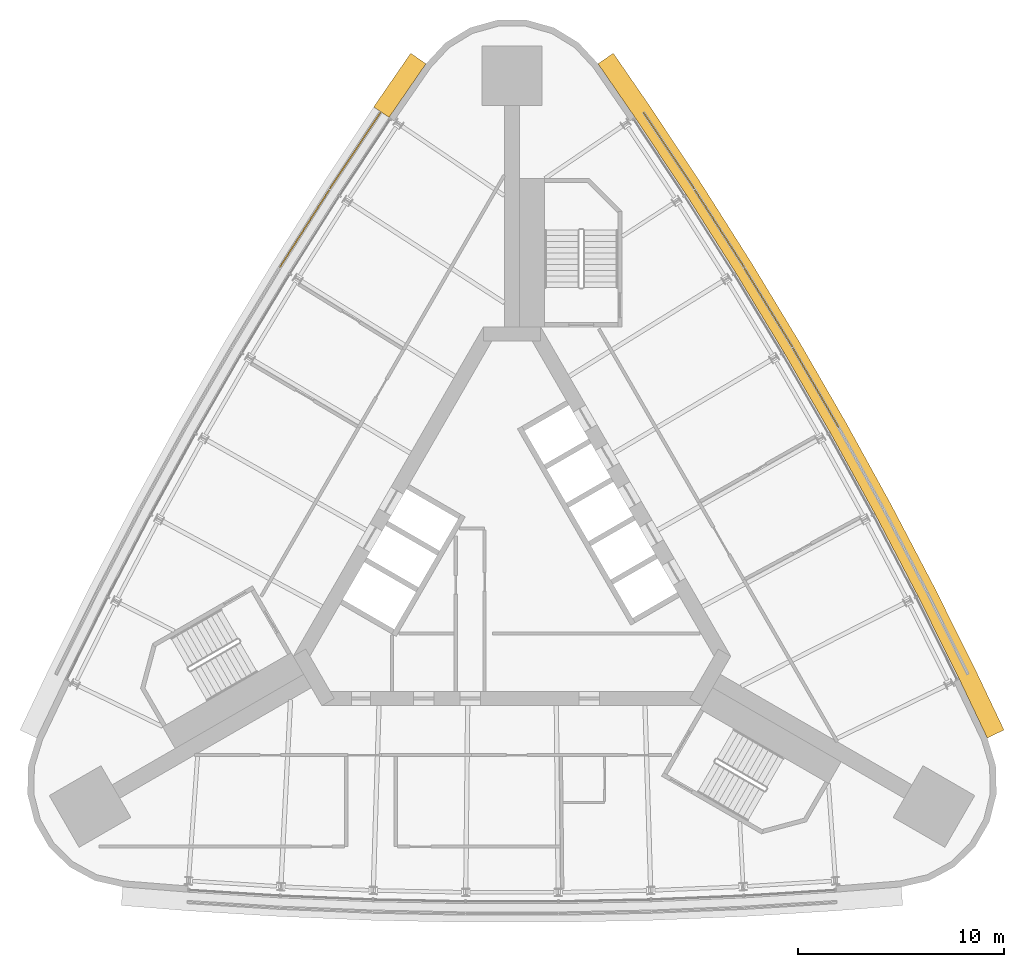
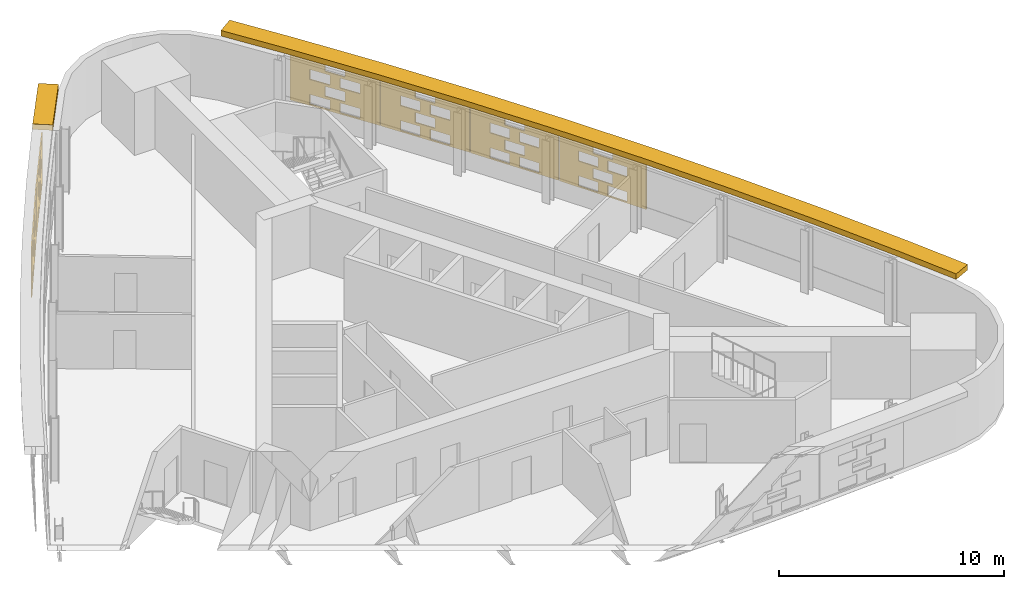
# One storey, part 12 of 12: 8 shading devices.
"""IFC4 building model written with IfcOpenShell, lengths in metres."""

from ifc_helpers import new_model, si_unit, direction, frame, origin, place, context, subcontext, project, spatial, polyline, outline, extrude, material, material_profile, profile_set, type_object, element, save


model = new_model("IFC4")

# Units and contexts
model_context = context("Model", 3, precision=1e-05, world=origin(), true_north=direction((0.0, 1.0)))
body_context = subcontext(model_context, "Body", "Model", "MODEL_VIEW")
ifc_project = project(units=[si_unit("LENGTHUNIT", "METRE"), si_unit("AREAUNIT", "SQUARE_METRE"), si_unit("VOLUMEUNIT", "CUBIC_METRE"), si_unit("PLANEANGLEUNIT", "RADIAN"), si_unit("MASSUNIT", "GRAM", prefix="KILO")], contexts=[model_context])

# Site, building, storey
site_placement = place(None, origin())
site = spatial("IfcSite", under=ifc_project, at=site_placement, CompositionType="ELEMENT")
building_placement = place(site_placement, origin())
building = spatial("IfcBuilding", under=site, at=building_placement, Name="Noor Cloister Tower", CompositionType="ELEMENT")
storey_placement = place(building_placement, frame((0.0, 0.0, 154.5)))
storey = spatial("IfcBuildingStorey", under=building, at=storey_placement, Name="L39", CompositionType="ELEMENT", Elevation=154.5)

# Shading devices
ifc_material_1 = material(Name="Limestone", Category="masonry")
ifc_material_profile = material_profile(ifc_material_1, outline(polyline([(-2.22998046875, -1.35009765625), (2.22998046875, -1.35009765625), (2.22998046875, 1.35009765625), (-2.22998046875, 1.35009765625), (-2.22998046875, -1.35009765625)]), holes=[polyline([(-1.25, -1.282470703125), (-0.25, -1.282470703125), (-0.25, -0.742431640625), (-1.25, -0.742431640625), (-1.25, -1.282470703125)]), polyline([(0.25, -1.282470703125), (1.25, -1.282470703125), (1.25, -0.742431640625), (0.25, -0.742431640625), (0.25, -1.282470703125)]), polyline([(-0.5, -0.607421875), (0.5, -0.607421875), (0.5, -0.0673828125), (-0.5, -0.0673828125), (-0.5, -0.607421875)]), polyline([(-1.25, 0.0673828125), (-0.25, 0.0673828125), (-0.25, 0.607421875), (-1.25, 0.607421875), (-1.25, 0.0673828125)]), polyline([(0.25, 0.0673828125), (1.25, 0.0673828125), (1.25, 0.607421875), (0.25, 0.607421875), (0.25, 0.0673828125)]), polyline([(-0.5, 0.742431640625), (0.5, 0.742431640625), (0.5, 1.282470703125), (-0.5, 1.282470703125), (-0.5, 0.742431640625)])]), Name="Woven screen 30 percent open")
ifc_profile_set = profile_set([ifc_material_profile], Name="Limestone")
shading_device_type_1 = type_object("IfcShadingDeviceType", Name="SCREEN woven limestone 30 percent open", PredefinedType="USERDEFINED", material=ifc_profile_set)
for number, where, z_axis, x_axis, name in (
    (1, (-7.58642578125, 19.989990234375, 1.85009765625), (-0.833298909309, 0.552822691054, 0.0), (-0.552822691054, -0.833298909309, 0.0), "SCREEN L39 1"),
    (2, (-10.040283203125, 16.20703125, 1.85009765625), (-0.8431579539, 0.537665941617, 0.0), (-0.537665941617, -0.8431579539, 0.0), "SCREEN L39 2"),
    (3, (14.7099609375, 8.49267578125, 1.85009765625), (0.865982457891, 0.500074377092, 0.0), (-0.500074377092, 0.865982457891, 0.0), "SCREEN L39 4"),
    (4, (12.4150390625, 12.3740234375, 1.85009765625), (0.853884327381, 0.520462828118, 0.0), (-0.520462828118, 0.853884327381, 0.0), "SCREEN L39 5"),
    (5, (10.040283203125, 16.20703125, 1.85009765625), (0.8431579539, 0.537665941617, 0.0), (-0.537665941617, 0.8431579539, 0.0), "SCREEN L39 6"),
    (6, (7.58642578125, 19.989990234375, 1.85009765625), (0.833298909309, 0.552822691054, 0.0), (-0.552822691054, 0.833298909309, 0.0), "SCREEN L39 7"),
):
    element("IfcShadingDevice", number, at=place(storey_placement, frame(where, z_axis=z_axis, x_axis=x_axis)), inside=storey, type_object=shading_device_type_1, Name=name, ObjectType="SCREEN", PredefinedType="USERDEFINED", context=body_context, shape_type="SweptSolid", body=[
        extrude(outline(polyline([(-2.22998046875, -1.35009765625), (2.22998046875, -1.35009765625), (2.22998046875, 1.35009765625), (-2.22998046875, 1.35009765625), (-2.22998046875, -1.35009765625)]), holes=[polyline([(-1.25, -1.282470703125), (-0.25, -1.282470703125), (-0.25, -0.742431640625), (-1.25, -0.742431640625), (-1.25, -1.282470703125)]), polyline([(0.25, -1.282470703125), (1.25, -1.282470703125), (1.25, -0.742431640625), (0.25, -0.742431640625), (0.25, -1.282470703125)]), polyline([(-0.5, -0.607421875), (0.5, -0.607421875), (0.5, -0.0673828125), (-0.5, -0.0673828125), (-0.5, -0.607421875)]), polyline([(-1.25, 0.0673828125), (-0.25, 0.0673828125), (-0.25, 0.607421875), (-1.25, 0.607421875), (-1.25, 0.0673828125)]), polyline([(0.25, 0.0673828125), (1.25, 0.0673828125), (1.25, 0.607421875), (0.25, 0.607421875), (0.25, 0.0673828125)]), polyline([(-0.5, 0.742431640625), (0.5, 0.742431640625), (0.5, 1.282470703125), (-0.5, 1.282470703125), (-0.5, 0.742431640625)])]), origin(), (0.0, 0.0, 1.0), 0.06005859375),
    ])
ifc_material_2 = material(Name="Limestone", Category="masonry")
shading_device_type_2 = type_object("IfcShadingDeviceType", Name="SUNSHADE limestone band 900", PredefinedType="USERDEFINED", material=ifc_material_2)
shading_device_1_placement = place(storey_placement, frame((0.0, 0.0, 3.300048828125)))
element("IfcShadingDevice", 7, at=shading_device_1_placement, inside=storey, type_object=shading_device_type_2, Name="SUNSHADE L39 3", ObjectType="SUNSHADE", PredefinedType="USERDEFINED", context=body_context, shape_type="SweptSolid", body=[
    extrude(outline(polyline([(23.87353515625, -8.10791015625), (22.51318359375, -5.246337890625), (20.502197265625, -1.201416015625), (18.406982421875, 2.802001953125), (16.229248046875, 6.76123046875), (13.969970703125, 10.67431640625), (11.630126953125, 14.539794921875), (9.21044921875, 18.356201171875), (6.713134765625, 22.1201171875), (4.9150390625, 24.729248046875), (4.174072265625, 24.218505859375), (5.967529296875, 21.615966796875), (8.455322265625, 17.8662109375), (10.864990234375, 14.06591796875), (13.195068359375, 10.21630859375), (15.445068359375, 6.3193359375), (17.61376953125, 2.37646484375), (19.700439453125, -1.610595703125), (21.703857421875, -5.639892578125), (23.060791015625, -8.494384765625), (23.87353515625, -8.10791015625)])), origin(), (0.0, 0.0, 1.0), 0.300048828125),
])
shading_device_2_placement = place(storey_placement, frame((0.0, 0.0, 3.300048828125)))
element("IfcShadingDevice", 8, at=shading_device_2_placement, inside=storey, type_object=shading_device_type_2, Name="SUNSHADE L39 4", ObjectType="SUNSHADE", PredefinedType="USERDEFINED", context=body_context, shape_type="SweptSolid", body=[
    extrude(outline(polyline([(-4.9150390625, 24.729248046875), (-6.708740234375, 22.126708984375), (-5.967529296875, 21.615966796875), (-4.174072265625, 24.218505859375), (-4.9150390625, 24.729248046875)])), origin(), (0.0, 0.0, 1.0), 0.300048828125),
])

save(model, "model.ifc")
